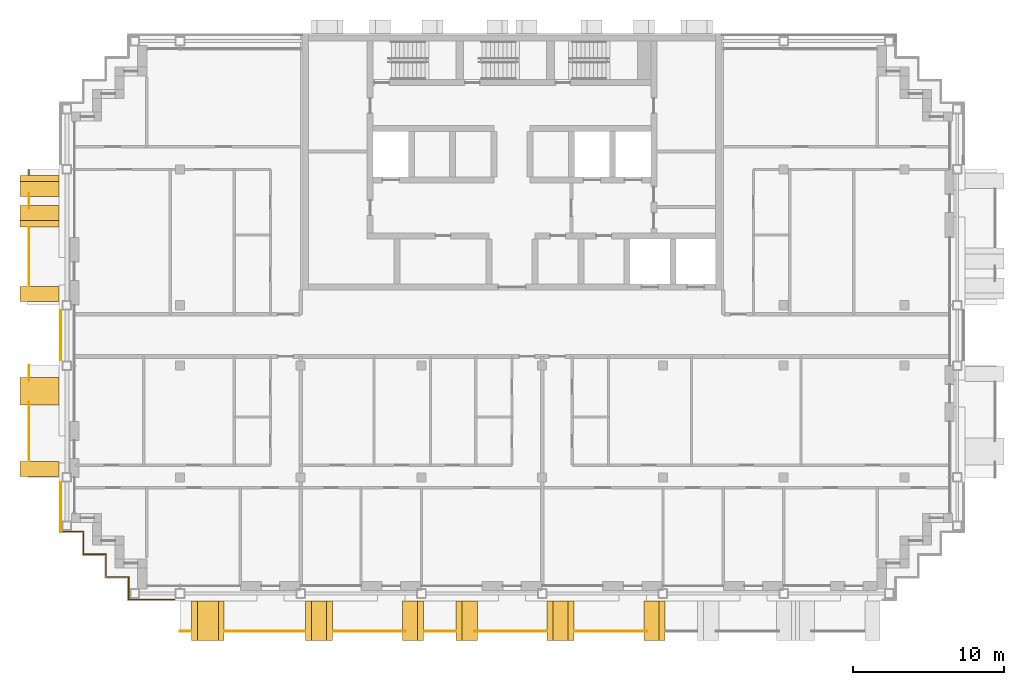
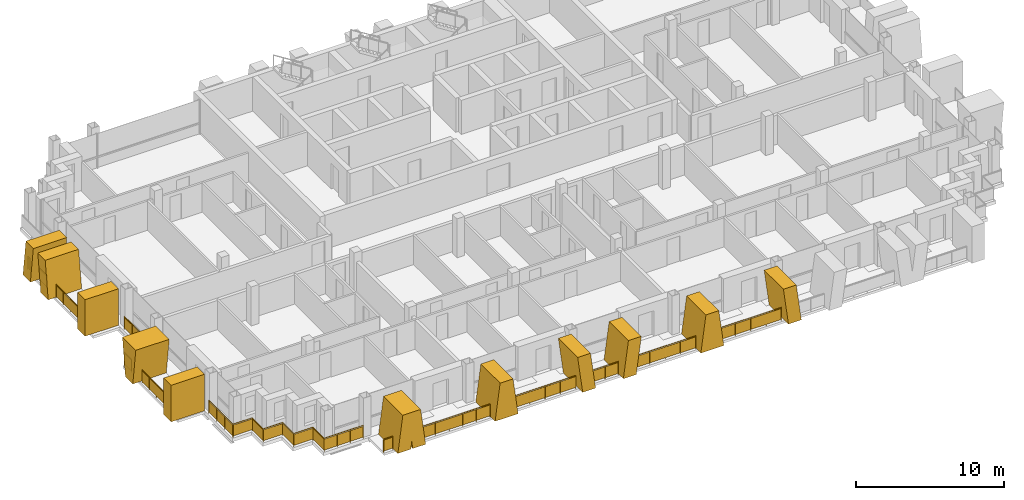
# One storey, part 12 of 15: 14 railings, 11 shading devices.
"""IFC4 building model written with IfcOpenShell, lengths in metres."""

import ifcopenshell
import ifcopenshell.guid

model = None  # the IFC model being written
_history = None  # IfcOwnerHistory: only IFC2X3 demands one
_inside = {}  # id of a spatial element -> (the spatial element, [elements in it])
_under = {}  # id of a project, library or spatial element -> (it, [spatial elements below it])
_declared = {}  # id of a project -> (the project, [libraries it declares])
_typed = {}  # id of a type object -> (the type object, [elements of that type])
_made_of = {}  # id of a material, layer set ... -> (it, [elements and type objects made of it])


def new_model(schema):
    """Start an empty IFC model of exactly this schema.

    Asked for "IFC4X3", IfcOpenShell would pick the latest addendum, in which some entities
    have other attributes; the version numbers below select the first issue.
    IFC2X3 requires an IfcOwnerHistory on every rooted entity: one is made here for all.
    """
    global model, _history
    if schema == "IFC4X3":
        model = ifcopenshell.file(schema_version=(4, 3, 0, 0))
    else:
        model = ifcopenshell.file(schema=schema)
    _inside.clear()
    _under.clear()
    _declared.clear()
    _typed.clear()
    _made_of.clear()
    _history = None
    if model.schema == "IFC2X3":
        org = make("IfcOrganization", Name="unknown")
        user = make(
            "IfcPersonAndOrganization",
            ThePerson=make("IfcPerson", FamilyName="unknown"),
            TheOrganization=org,
        )
        app = make(
            "IfcApplication",
            ApplicationDeveloper=org,
            Version="unknown",
            ApplicationFullName="unknown",
            ApplicationIdentifier="unknown",
        )
        _history = make(
            "IfcOwnerHistory",
            OwningUser=user,
            OwningApplication=app,
            ChangeAction="ADDED",
            CreationDate=0,
        )
    return model


def make(cls, **values):
    """One entity of the class cls with the attributes given. An attribute that is None is left unset."""
    return model.create_entity(
        cls, **{name: value for name, value in values.items() if value is not None}
    )


def rooted(cls, **values):
    """An entity with a GlobalId (a new one), such as an element, a storey or a relation."""
    return make(cls, GlobalId=ifcopenshell.guid.new(), OwnerHistory=_history, **values)


def si_unit(unit_type, name, prefix=None):
    """IfcSIUnit, for example si_unit("LENGTHUNIT", "METRE", prefix="MILLI")."""
    return make("IfcSIUnit", UnitType=unit_type, Prefix=prefix, Name=name)


def assignment(units):
    """IfcUnitAssignment: the units of a project."""
    return None if units is None else make("IfcUnitAssignment", Units=units)


def point(xyz):
    """IfcCartesianPoint."""
    return None if xyz is None else make("IfcCartesianPoint", Coordinates=xyz)


def direction(xyz):
    """IfcDirection."""
    return None if xyz is None else make("IfcDirection", DirectionRatios=xyz)


def frame(location, z_axis=None, x_axis=None):
    """IfcAxis2Placement3D, a coordinate frame: its origin and axes. An axis left out is left unset."""
    return make(
        "IfcAxis2Placement3D",
        Location=point(location),
        Axis=direction(z_axis),
        RefDirection=direction(x_axis),
    )


def frame_2d(location, x_axis=None):
    """IfcAxis2Placement2D, a coordinate frame in the plane: its origin and x axis."""
    return make(
        "IfcAxis2Placement2D", Location=point(location), RefDirection=direction(x_axis)
    )


def origin():
    """The frame at (0, 0, 0) with its axes left unset."""
    return frame((0.0, 0.0, 0.0))


def origin_2d():
    """The frame at (0, 0) in the plane with its x axis left unset."""
    return frame_2d((0.0, 0.0))


def place(relative_to, where):
    """IfcLocalPlacement: puts the frame where relative to a parent placement (None: the world)."""
    return make(
        "IfcLocalPlacement", PlacementRelTo=relative_to, RelativePlacement=where
    )


def context(
    kind, dimensions, precision=None, world=None, true_north=None, identifier=None
):
    """IfcGeometricRepresentationContext, for example the 3D "Model" context."""
    return make(
        "IfcGeometricRepresentationContext",
        ContextIdentifier=identifier,
        ContextType=kind,
        CoordinateSpaceDimension=dimensions,
        Precision=precision,
        WorldCoordinateSystem=world,
        TrueNorth=true_north,
    )


def subcontext(parent, identifier, kind, view, scale=None):
    """IfcGeometricRepresentationSubContext, for example "Body" below "Model"."""
    return make(
        "IfcGeometricRepresentationSubContext",
        ContextIdentifier=identifier,
        ContextType=kind,
        ParentContext=parent,
        TargetScale=scale,
        TargetView=view,
    )


def project(units=None, contexts=None):
    """IfcProject with its units and contexts."""
    return rooted(
        "IfcProject",
        Name="project",
        RepresentationContexts=contexts,
        UnitsInContext=assignment(units),
    )


def spatial(cls, under=None, at=None, **own):
    """A site, building, storey or space (cls), placed at a placement, below another one or the project."""
    s = rooted(cls, ObjectPlacement=at, **own)
    if under is not None:
        _under.setdefault(under.id(), (under, []))[1].append(s)
    return s


def polyline(points):
    """IfcPolyline through the points."""
    return make("IfcPolyline", Points=[point(p) for p in points])


def profile(cls, at=None, kind="AREA", **sizes):
    """A parametric profile (cls). Its sizes go by their IFC names, for example OverallWidth=200.0."""
    return make(cls, ProfileType=kind, Position=at, **sizes)


def rectangle(**sizes):
    """IfcRectangleProfileDef."""
    return profile("IfcRectangleProfileDef", **sizes)


def circle(**sizes):
    """IfcCircleProfileDef."""
    return profile("IfcCircleProfileDef", **sizes)


def outline(outer, holes=None, kind="AREA"):
    """IfcArbitraryClosedProfileDef: a profile drawn as a closed curve; with holes, ...WithVoids."""
    if holes is None:
        return make("IfcArbitraryClosedProfileDef", ProfileType=kind, OuterCurve=outer)
    return make(
        "IfcArbitraryProfileDefWithVoids",
        ProfileType=kind,
        OuterCurve=outer,
        InnerCurves=holes,
    )


def extrude(swept, where, along, depth):
    """IfcExtrudedAreaSolid: the profile swept, set in the frame where, extruded along a direction by depth."""
    return make(
        "IfcExtrudedAreaSolid",
        SweptArea=swept,
        Position=where,
        ExtrudedDirection=direction(along),
        Depth=depth,
    )


def shape(context_of_items, identifier, shape_type, items):
    """IfcShapeRepresentation: the items that make up one representation, for example the "Body"."""
    return make(
        "IfcShapeRepresentation",
        ContextOfItems=context_of_items,
        RepresentationIdentifier=identifier,
        RepresentationType=shape_type,
        Items=items,
    )


def material(Name=None, Category=None):
    """IfcMaterial."""
    return make("IfcMaterial", Name=Name, Category=Category)


def layer(
    of_material, thickness, ventilated=None, Name=None, Category=None, Priority=None
):
    """IfcMaterialLayer: one layer of a wall or slab, of a material (None: an air gap)."""
    return make(
        "IfcMaterialLayer",
        Material=of_material,
        LayerThickness=thickness,
        IsVentilated=ventilated,
        Name=Name,
        Category=Category,
        Priority=Priority,
    )


def layer_set(layers, Name=None):
    """IfcMaterialLayerSet."""
    return make("IfcMaterialLayerSet", MaterialLayers=layers, LayerSetName=Name)


def made_of(thing, what):
    """Note that an element or type object is made of a material, layer set ...; save() writes the relation."""
    if what is not None:
        _made_of.setdefault(what.id(), (what, []))[1].append(thing)
    return thing


def type_object(cls, material=None, **own):
    """A type object (cls), such as IfcWallType, which elements share."""
    return made_of(rooted(cls, **own), material)


def element(
    cls,
    number,
    at=None,
    inside=None,
    cuts=None,
    type_object=None,
    material=None,
    context=None,
    identifier="Body",
    shape_type=None,
    held_by="IfcProductDefinitionShape",
    body=None,
    shapes=None,
    **own,
):
    """One element of the class cls, such as IfcWall. Its Tag is "e" and its number.

    at: its placement. inside: the storey or other place that contains it. cuts: it is an
    opening in that element (IfcRelVoidsElement). A single representation is given by context,
    identifier, shape_type and body (its items); several are given by shapes. held_by: the class
    of the entity that holds the representations. save() writes the other relations.
    """
    e = rooted(cls, Tag="e%d" % number, ObjectPlacement=at, **own)
    if body is not None:
        shapes = [shape(context, identifier, shape_type, body)]
    if shapes is not None:
        e.Representation = make(held_by, Representations=shapes)
    if inside is not None:
        _inside.setdefault(inside.id(), (inside, []))[1].append(e)
    if cuts is not None:
        rooted(
            "IfcRelVoidsElement", RelatingBuildingElement=cuts, RelatedOpeningElement=e
        )
    if type_object is not None:
        _typed.setdefault(type_object.id(), (type_object, []))[1].append(e)
    return made_of(e, material)


def aggregate(whole, parts):
    """IfcRelAggregates: a whole, such as a stair, and the parts it consists of."""
    return rooted("IfcRelAggregates", RelatingObject=whole, RelatedObjects=parts)


def save(model, path):
    """Write the relations noted so far, then the file.

    IfcRelAggregates (storeys below a building ...), IfcRelContainedInSpatialStructure (elements
    in a storey), IfcRelDefinesByType, IfcRelAssociatesMaterial and IfcRelDeclares: one each for
    every whole, place, type object, material and project.
    """
    for whole, parts in _under.values():
        aggregate(whole, parts)
    for where, things in _inside.values():
        rooted(
            "IfcRelContainedInSpatialStructure",
            RelatedElements=things,
            RelatingStructure=where,
        )
    for kind, things in _typed.values():
        rooted("IfcRelDefinesByType", RelatedObjects=things, RelatingType=kind)
    for what, things in _made_of.values():
        rooted("IfcRelAssociatesMaterial", RelatedObjects=things, RelatingMaterial=what)
    for by, libraries in _declared.values():
        rooted("IfcRelDeclares", RelatingContext=by, RelatedDefinitions=libraries)
    model.write(path)


model = new_model("IFC4")

# Units and contexts
model_context = context("Model", 3, precision=1e-05, world=origin(), true_north=direction((0.0, 1.0)))
body_context = subcontext(model_context, "Body", "Model", "MODEL_VIEW")
ifc_project = project(units=[si_unit("LENGTHUNIT", "METRE"), si_unit("AREAUNIT", "SQUARE_METRE"), si_unit("VOLUMEUNIT", "CUBIC_METRE"), si_unit("PLANEANGLEUNIT", "RADIAN"), si_unit("MASSUNIT", "GRAM", prefix="KILO")], contexts=[model_context])

# Site, building, storey
site_placement = place(None, origin())
site = spatial("IfcSite", under=ifc_project, at=site_placement, CompositionType="ELEMENT")
building_placement = place(site_placement, origin())
building = spatial("IfcBuilding", under=site, at=building_placement, Name="Vidyagriha Tower", CompositionType="ELEMENT")
storey_placement = place(building_placement, frame((0.0, 0.0, 236.39990234375)))
storey = spatial("IfcBuildingStorey", under=building, at=storey_placement, Name="L62", CompositionType="ELEMENT", Elevation=236.39990234375)

# Railings
ifc_material_1 = material(Name="Steel ASTM A500 Grade C black painted", Category="steel")
railing_type_1 = type_object("IfcRailingType", Name="Balcony guard 1100", PredefinedType="BALUSTRADE", material=ifc_material_1)
railing_1_placement = place(storey_placement, frame((-32.0, 11.0, 0.0)))
element("IfcRailing", 1, at=railing_1_placement, inside=storey, type_object=railing_type_1, Name="Balcony guard L62 R16.1-1", PredefinedType="BALUSTRADE", context=body_context, shape_type="SweptSolid", body=[
    extrude(circle(Radius=0.02490234375, at=origin_2d()), frame((0.0, 0.0, 1.0751953125), z_axis=(0.0, -1.0, 0.0), x_axis=(1.0, 0.0, 0.0)), (0.0, 0.0, 1.0), 0.35009765625),
    extrude(circle(Radius=0.02001953125, at=origin_2d()), origin(), (0.0, 0.0, 1.0), 1.050048828125),
    extrude(circle(Radius=0.02001953125, at=origin_2d()), frame((0.0, -0.35009765625, 0.0)), (0.0, 0.0, 1.0), 1.050048828125),
    extrude(rectangle(XDim=0.010009765625, YDim=0.900146484375, at=origin_2d()), frame((0.0, 0.0, 0.550048828125), z_axis=(0.0, -1.0, 0.0), x_axis=(1.0, 0.0, 0.0)), (0.0, 0.0, 1.0), 0.35009765625),
])
railing_2_placement = place(storey_placement, frame((-32.0, 9.396728515625, 0.0)))
element("IfcRailing", 2, at=railing_2_placement, inside=storey, type_object=railing_type_1, Name="Balcony guard L62 R16.1-2", PredefinedType="BALUSTRADE", context=body_context, shape_type="SweptSolid", body=[
    extrude(circle(Radius=0.02490234375, at=origin_2d()), frame((0.0, 0.0, 1.0751953125), z_axis=(0.0, -1.0, 0.0), x_axis=(1.0, 0.0, 0.0)), (0.0, 0.0, 1.0), 0.993408203125),
    extrude(circle(Radius=0.02001953125, at=origin_2d()), origin(), (0.0, 0.0, 1.0), 1.050048828125),
    extrude(circle(Radius=0.02001953125, at=origin_2d()), frame((0.0, -0.993408203125, 0.0)), (0.0, 0.0, 1.0), 1.050048828125),
    extrude(rectangle(XDim=0.010009765625, YDim=0.900146484375, at=origin_2d()), frame((0.0, 0.0, 0.550048828125), z_axis=(0.0, -1.0, 0.0), x_axis=(1.0, 0.0, 0.0)), (0.0, 0.0, 1.0), 0.993408203125),
])
railing_3_placement = place(storey_placement, frame((-32.0, 7.14990234375, 0.0)))
element("IfcRailing", 3, at=railing_3_placement, inside=storey, type_object=railing_type_1, Name="Balcony guard L62 R16.1-3", PredefinedType="BALUSTRADE", context=body_context, shape_type="SweptSolid", body=[
    extrude(circle(Radius=0.02490234375, at=origin_2d()), frame((0.0, 0.0, 1.0751953125), z_axis=(0.0, -1.0, 0.0), x_axis=(1.0, 0.0, 0.0)), (0.0, 0.0, 1.0), 3.849853515625),
    extrude(circle(Radius=0.02001953125, at=origin_2d()), origin(), (0.0, 0.0, 1.0), 1.050048828125),
    extrude(circle(Radius=0.02001953125, at=origin_2d()), frame((0.0, -0.96240234375, 0.0)), (0.0, 0.0, 1.0), 1.050048828125),
    extrude(circle(Radius=0.02001953125, at=origin_2d()), frame((0.0, -1.9248046875, 0.0)), (0.0, 0.0, 1.0), 1.050048828125),
    extrude(circle(Radius=0.02001953125, at=origin_2d()), frame((0.0, -2.887451171875, 0.0)), (0.0, 0.0, 1.0), 1.050048828125),
    extrude(circle(Radius=0.02001953125, at=origin_2d()), frame((0.0, -3.849853515625, 0.0)), (0.0, 0.0, 1.0), 1.050048828125),
    extrude(rectangle(XDim=0.010009765625, YDim=0.900146484375, at=origin_2d()), frame((0.0, 0.0, 0.550048828125), z_axis=(0.0, -1.0, 0.0), x_axis=(1.0, 0.0, 0.0)), (0.0, 0.0, 1.0), 3.849853515625),
])
railing_4_placement = place(storey_placement, frame((-32.0, -2.0, 0.0)))
element("IfcRailing", 4, at=railing_4_placement, inside=storey, type_object=railing_type_1, Name="Balcony guard L62 R16.2-1", PredefinedType="BALUSTRADE", context=body_context, shape_type="SweptSolid", body=[
    extrude(circle(Radius=0.02490234375, at=origin_2d()), frame((0.0, 0.0, 1.0751953125), z_axis=(0.0, -1.0, 0.0), x_axis=(1.0, 0.0, 0.0)), (0.0, 0.0, 1.0), 0.99658203125),
    extrude(circle(Radius=0.02001953125, at=origin_2d()), origin(), (0.0, 0.0, 1.0), 1.050048828125),
    extrude(circle(Radius=0.02001953125, at=origin_2d()), frame((0.0, -0.99658203125, 0.0)), (0.0, 0.0, 1.0), 1.050048828125),
    extrude(rectangle(XDim=0.010009765625, YDim=0.900146484375, at=origin_2d()), frame((0.0, 0.0, 0.550048828125), z_axis=(0.0, -1.0, 0.0), x_axis=(1.0, 0.0, 0.0)), (0.0, 0.0, 1.0), 0.99658203125),
])
railing_5_placement = place(storey_placement, frame((-32.0, -4.4033203125, 0.0)))
element("IfcRailing", 5, at=railing_5_placement, inside=storey, type_object=railing_type_1, Name="Balcony guard L62 R16.2-2", PredefinedType="BALUSTRADE", context=body_context, shape_type="SweptSolid", body=[
    extrude(circle(Radius=0.02490234375, at=origin_2d()), frame((0.0, 0.0, 1.0751953125), z_axis=(0.0, -1.0, 0.0), x_axis=(1.0, 0.0, 0.0)), (0.0, 0.0, 1.0), 3.896728515625),
    extrude(circle(Radius=0.02001953125, at=origin_2d()), origin(), (0.0, 0.0, 1.0), 1.050048828125),
    extrude(circle(Radius=0.02001953125, at=origin_2d()), frame((0.0, -0.97412109375, 0.0)), (0.0, 0.0, 1.0), 1.050048828125),
    extrude(circle(Radius=0.02001953125, at=origin_2d()), frame((0.0, -1.9482421875, 0.0)), (0.0, 0.0, 1.0), 1.050048828125),
    extrude(circle(Radius=0.02001953125, at=origin_2d()), frame((0.0, -2.922607421875, 0.0)), (0.0, 0.0, 1.0), 1.050048828125),
    extrude(circle(Radius=0.02001953125, at=origin_2d()), frame((0.0, -3.896728515625, 0.0)), (0.0, 0.0, 1.0), 1.050048828125),
    extrude(rectangle(XDim=0.010009765625, YDim=0.900146484375, at=origin_2d()), frame((0.0, 0.0, 0.550048828125), z_axis=(0.0, -1.0, 0.0), x_axis=(1.0, 0.0, 0.0)), (0.0, 0.0, 1.0), 3.896728515625),
])
railing_6_placement = place(storey_placement, frame((-22.0, -19.60009765625, 0.0)))
element("IfcRailing", 6, at=railing_6_placement, inside=storey, type_object=railing_type_1, Name="Balcony guard L62 R23.1-1", PredefinedType="BALUSTRADE", context=body_context, shape_type="SweptSolid", body=[
    extrude(circle(Radius=0.02490234375, at=origin_2d()), frame((0.0, 0.0, 1.0751953125), z_axis=(1.0, 0.0, 0.0), x_axis=(0.0, 1.0, 0.0)), (0.0, 0.0, 1.0), 0.721435546875),
    extrude(circle(Radius=0.02001953125, at=origin_2d()), origin(), (0.0, 0.0, 1.0), 1.050048828125),
    extrude(circle(Radius=0.02001953125, at=origin_2d()), frame((0.721435546875, 0.0, 0.0)), (0.0, 0.0, 1.0), 1.050048828125),
    extrude(rectangle(XDim=0.010009765625, YDim=0.900146484375, at=origin_2d()), frame((0.0, 0.0, 0.550048828125), z_axis=(1.0, 0.0, 0.0), x_axis=(0.0, 1.0, 0.0)), (0.0, 0.0, 1.0), 0.721435546875),
])
railing_7_placement = place(storey_placement, frame((-19.021484375, -19.60009765625, 0.0)))
element("IfcRailing", 7, at=railing_7_placement, inside=storey, type_object=railing_type_1, Name="Balcony guard L62 R23.1-2", PredefinedType="BALUSTRADE", context=body_context, shape_type="SweptSolid", body=[
    extrude(circle(Radius=0.02490234375, at=origin_2d()), frame((0.0, 0.0, 1.0751953125), z_axis=(1.0, 0.0, 0.0), x_axis=(0.0, 1.0, 0.0)), (0.0, 0.0, 1.0), 5.301513671875),
    extrude(circle(Radius=0.02001953125, at=origin_2d()), origin(), (0.0, 0.0, 1.0), 1.050048828125),
    extrude(circle(Radius=0.02001953125, at=origin_2d()), frame((1.060302734375, 0.0, 0.0)), (0.0, 0.0, 1.0), 1.050048828125),
    extrude(circle(Radius=0.02001953125, at=origin_2d()), frame((2.12060546875, 0.0, 0.0)), (0.0, 0.0, 1.0), 1.050048828125),
    extrude(circle(Radius=0.02001953125, at=origin_2d()), frame((3.180908203125, 0.0, 0.0)), (0.0, 0.0, 1.0), 1.050048828125),
    extrude(circle(Radius=0.02001953125, at=origin_2d()), frame((4.2412109375, 0.0, 0.0)), (0.0, 0.0, 1.0), 1.050048828125),
    extrude(circle(Radius=0.02001953125, at=origin_2d()), frame((5.301513671875, 0.0, 0.0)), (0.0, 0.0, 1.0), 1.050048828125),
    extrude(rectangle(XDim=0.010009765625, YDim=0.900146484375, at=origin_2d()), frame((0.0, 0.0, 0.550048828125), z_axis=(1.0, 0.0, 0.0), x_axis=(0.0, 1.0, 0.0)), (0.0, 0.0, 1.0), 5.301513671875),
])
railing_8_placement = place(storey_placement, frame((-11.830078125, -19.60009765625, 0.0)))
element("IfcRailing", 8, at=railing_8_placement, inside=storey, type_object=railing_type_1, Name="Balcony guard L62 R23.1-3", PredefinedType="BALUSTRADE", context=body_context, shape_type="SweptSolid", body=[
    extrude(circle(Radius=0.02490234375, at=origin_2d()), frame((0.0, 0.0, 1.0751953125), z_axis=(1.0, 0.0, 0.0), x_axis=(0.0, 1.0, 0.0)), (0.0, 0.0, 1.0), 4.773681640625),
    extrude(circle(Radius=0.02001953125, at=origin_2d()), origin(), (0.0, 0.0, 1.0), 1.050048828125),
    extrude(circle(Radius=0.02001953125, at=origin_2d()), frame((1.193359375, 0.0, 0.0)), (0.0, 0.0, 1.0), 1.050048828125),
    extrude(circle(Radius=0.02001953125, at=origin_2d()), frame((2.38671875, 0.0, 0.0)), (0.0, 0.0, 1.0), 1.050048828125),
    extrude(circle(Radius=0.02001953125, at=origin_2d()), frame((3.580322265625, 0.0, 0.0)), (0.0, 0.0, 1.0), 1.050048828125),
    extrude(circle(Radius=0.02001953125, at=origin_2d()), frame((4.773681640625, 0.0, 0.0)), (0.0, 0.0, 1.0), 1.050048828125),
    extrude(rectangle(XDim=0.010009765625, YDim=0.900146484375, at=origin_2d()), frame((0.0, 0.0, 0.550048828125), z_axis=(1.0, 0.0, 0.0), x_axis=(0.0, 1.0, 0.0)), (0.0, 0.0, 1.0), 4.773681640625),
])
railing_9_placement = place(storey_placement, frame((-5.804931640625, -19.60009765625, 0.0)))
element("IfcRailing", 9, at=railing_9_placement, inside=storey, type_object=railing_type_1, Name="Balcony guard L62 R23.1-4", PredefinedType="BALUSTRADE", context=body_context, shape_type="SweptSolid", body=[
    extrude(circle(Radius=0.02490234375, at=origin_2d()), frame((0.0, 0.0, 1.0751953125), z_axis=(1.0, 0.0, 0.0), x_axis=(0.0, 1.0, 0.0)), (0.0, 0.0, 1.0), 2.059814453125),
    extrude(circle(Radius=0.02001953125, at=origin_2d()), origin(), (0.0, 0.0, 1.0), 1.050048828125),
    extrude(circle(Radius=0.02001953125, at=origin_2d()), frame((1.02978515625, 0.0, 0.0)), (0.0, 0.0, 1.0), 1.050048828125),
    extrude(circle(Radius=0.02001953125, at=origin_2d()), frame((2.059814453125, 0.0, 0.0)), (0.0, 0.0, 1.0), 1.050048828125),
    extrude(rectangle(XDim=0.010009765625, YDim=0.900146484375, at=origin_2d()), frame((0.0, 0.0, 0.550048828125), z_axis=(1.0, 0.0, 0.0), x_axis=(0.0, 1.0, 0.0)), (0.0, 0.0, 1.0), 2.059814453125),
])
for number, where, name in (
    (10, (-2.49365234375, -19.60009765625, 0.0), "Balcony guard L62 R23.1-5"),
    (11, (4.169921875, -19.60009765625, 0.0), "Balcony guard L62 R23.1-6"),
):
    element("IfcRailing", number, at=place(storey_placement, frame(where)), inside=storey, type_object=railing_type_1, Name=name, PredefinedType="BALUSTRADE", context=body_context, shape_type="SweptSolid", body=[
        extrude(circle(Radius=0.02490234375, at=origin_2d()), frame((0.0, 0.0, 1.0751953125), z_axis=(1.0, 0.0, 0.0), x_axis=(0.0, 1.0, 0.0)), (0.0, 0.0, 1.0), 4.773681640625),
        extrude(circle(Radius=0.02001953125, at=origin_2d()), origin(), (0.0, 0.0, 1.0), 1.050048828125),
        extrude(circle(Radius=0.02001953125, at=origin_2d()), frame((1.193359375, 0.0, 0.0)), (0.0, 0.0, 1.0), 1.050048828125),
        extrude(circle(Radius=0.02001953125, at=origin_2d()), frame((2.38671875, 0.0, 0.0)), (0.0, 0.0, 1.0), 1.050048828125),
        extrude(circle(Radius=0.02001953125, at=origin_2d()), frame((3.580322265625, 0.0, 0.0)), (0.0, 0.0, 1.0), 1.050048828125),
        extrude(circle(Radius=0.02001953125, at=origin_2d()), frame((4.773681640625, 0.0, 0.0)), (0.0, 0.0, 1.0), 1.050048828125),
        extrude(rectangle(XDim=0.010009765625, YDim=0.900146484375, at=origin_2d()), frame((0.0, 0.0, 0.550048828125), z_axis=(1.0, 0.0, 0.0), x_axis=(0.0, 1.0, 0.0)), (0.0, 0.0, 1.0), 4.773681640625),
    ])

# Shading devices
ifc_material_2 = material(Name="Precast concrete C40/50 with buff brick facing", Category="concrete")
ifc_layer_1 = layer(ifc_material_2, 1.0)
ifc_layer_set_1 = layer_set([ifc_layer_1], Name="Precast concrete C40/50 with buff brick facing")
shading_device_type_1 = type_object("IfcShadingDeviceType", Name="Brick-faced blade fin arm leaning 8 degrees", PredefinedType="USERDEFINED", material=ifc_layer_set_1)
shading_device_1_placement = place(storey_placement, frame((-31.300048828125, 8.60009765625, 0.0), z_axis=(0.0, 0.0, 1.0), x_axis=(0.0, -1.0, 0.0)))
element("IfcShadingDevice", 12, at=shading_device_1_placement, inside=storey, type_object=shading_device_type_1, Name="Leaning blade fin L62 R16.320a", ObjectType="BLADE FIN", PredefinedType="USERDEFINED", context=body_context, shape_type="SweptSolid", body=[
    extrude(outline(polyline([(0.39990234375, 0.0), (1.39990234375, 0.0), (1.0, 3.0), (0.0, 3.0), (0.39990234375, 0.0)])), frame((0.0, 1.300048828125, 0.0), z_axis=(0.0, -1.0, 0.0), x_axis=(1.0, 0.0, 0.0)), (0.0, 0.0, 1.0), 2.60009765625),
])
shading_device_2_placement = place(storey_placement, frame((-31.300048828125, 10.60009765625, 0.0), z_axis=(0.0, 0.0, 1.0), x_axis=(0.0, -1.0, 0.0)))
element("IfcShadingDevice", 13, at=shading_device_2_placement, inside=storey, type_object=shading_device_type_1, Name="Leaning blade fin L62 R16.320b", ObjectType="BLADE FIN", PredefinedType="USERDEFINED", context=body_context, shape_type="SweptSolid", body=[
    extrude(outline(polyline([(0.0, 0.0), (1.0, 0.0), (1.39990234375, 3.0), (0.39990234375, 3.0), (0.0, 0.0)])), frame((0.0, 1.300048828125, 0.0), z_axis=(0.0, -1.0, 0.0), x_axis=(1.0, 0.0, 0.0)), (0.0, 0.0, 1.0), 2.60009765625),
])
shading_device_3_placement = place(storey_placement, frame((-3.695068359375, -18.89990234375, 0.0)))
element("IfcShadingDevice", 14, at=shading_device_3_placement, inside=storey, type_object=shading_device_type_1, Name="Leaning blade fin L62 R23.1820a", ObjectType="BLADE FIN", PredefinedType="USERDEFINED", context=body_context, shape_type="SweptSolid", body=[
    extrude(outline(polyline([(0.0, 0.0), (1.0, 0.0), (1.39501953125, 3.0), (0.39501953125, 3.0), (0.0, 0.0)])), frame((0.0, 1.300048828125, 0.0), z_axis=(0.0, -1.0, 0.0), x_axis=(1.0, 0.0, 0.0)), (0.0, 0.0, 1.0), 2.60009765625),
])
for number, where, name in (
    (15, (-7.25, -18.89990234375, 0.0), "Leaning blade fin L62 R23.1820b"),
    (16, (8.75, -18.89990234375, 0.0), "Leaning blade fin L62 R23.3420b"),
):
    element("IfcShadingDevice", number, at=place(storey_placement, frame(where)), inside=storey, type_object=shading_device_type_1, Name=name, ObjectType="BLADE FIN", PredefinedType="USERDEFINED", context=body_context, shape_type="SweptSolid", body=[
        extrude(outline(polyline([(0.39501953125, 0.0), (1.39501953125, 0.0), (1.0, 3.0), (0.0, 3.0), (0.39501953125, 0.0)])), frame((0.0, 1.300048828125, 0.0), z_axis=(0.0, -1.0, 0.0), x_axis=(1.0, 0.0, 0.0)), (0.0, 0.0, 1.0), 2.60009765625),
    ])
ifc_material_3 = material(Name="Precast concrete C40/50 with buff brick facing", Category="concrete")
ifc_layer_2 = layer(ifc_material_3, 1.0)
ifc_layer_set_2 = layer_set([ifc_layer_2], Name="Precast concrete C40/50 with buff brick facing")
shading_device_type_2 = type_object("IfcShadingDeviceType", Name="Brick-faced blade fin forking 8 degrees", PredefinedType="USERDEFINED", material=ifc_layer_set_2)
shading_device_4_placement = place(storey_placement, frame((-31.300048828125, -2.800048828125, 0.0), z_axis=(0.0, 0.0, 1.0), x_axis=(0.0, -1.0, 0.0)))
element("IfcShadingDevice", 17, at=shading_device_4_placement, inside=storey, type_object=shading_device_type_2, Name="Forked blade fin L62 R16.1620a", ObjectType="BLADE FIN", PredefinedType="USERDEFINED", context=body_context, shape_type="SweptSolid", body=[
    extrude(outline(polyline([(0.39990234375, 0.0), (1.39990234375, 0.0), (1.800048828125, 3.0), (0.0, 3.0), (0.39990234375, 0.0)])), frame((0.0, 1.300048828125, 0.0), z_axis=(0.0, -1.0, 0.0), x_axis=(1.0, 0.0, 0.0)), (0.0, 0.0, 1.0), 2.60009765625),
])
shading_device_5_placement = place(storey_placement, frame((-21.228515625, -18.89990234375, 0.0)))
element("IfcShadingDevice", 18, at=shading_device_5_placement, inside=storey, type_object=shading_device_type_2, Name="Forked blade fin L62 R23.220a", ObjectType="BLADE FIN", PredefinedType="USERDEFINED", context=body_context, shape_type="SweptSolid", body=[
    extrude(outline(polyline([(1.0, 0.0), (1.07861328125, 0.611083984375), (1.1572265625, 0.0), (2.1572265625, 0.0), (1.771484375, 3.0), (0.3857421875, 3.0), (0.0, 0.0), (1.0, 0.0)])), frame((0.0, 1.300048828125, 0.0), z_axis=(0.0, -1.0, 0.0), x_axis=(1.0, 0.0, 0.0)), (0.0, 0.0, 1.0), 2.60009765625),
])
for number, where, name in (
    (19, (-13.669921875, -18.89990234375, 0.0), "Forked blade fin L62 R23.1020a"),
    (20, (2.330078125, -18.89990234375, 0.0), "Forked blade fin L62 R23.2620a"),
):
    element("IfcShadingDevice", number, at=place(storey_placement, frame(where)), inside=storey, type_object=shading_device_type_2, Name=name, ObjectType="BLADE FIN", PredefinedType="USERDEFINED", context=body_context, shape_type="SweptSolid", body=[
        extrude(outline(polyline([(0.0, 0.0), (1.7900390625, 0.0), (1.39501953125, 3.0), (0.39501953125, 3.0), (0.0, 0.0)])), frame((0.0, 1.300048828125, 0.0), z_axis=(0.0, -1.0, 0.0), x_axis=(1.0, 0.0, 0.0)), (0.0, 0.0, 1.0), 2.60009765625),
    ])
ifc_material_4 = material(Name="Precast concrete C40/50 with buff brick facing", Category="concrete")
ifc_layer_3 = layer(ifc_material_4, 1.0)
ifc_layer_set_3 = layer_set([ifc_layer_3], Name="Precast concrete C40/50 with buff brick facing")
shading_device_type_3 = type_object("IfcShadingDeviceType", Name="Brick-faced blade fin stem 1000", PredefinedType="USERDEFINED", material=ifc_layer_set_3)
for number, where, z_axis, x_axis, name in (
    (21, (-31.300048828125, 3.25, 0.0), (0.0, 0.0, 1.0), (0.0, -1.0, 0.0), "Stem blade fin L62 R16.1220a"),
    (22, (-31.300048828125, -8.35009765625, 0.0), (0.0, 0.0, 1.0), (0.0, -1.0, 0.0), "Stem blade fin L62 R16.2360a"),
):
    element("IfcShadingDevice", number, at=place(storey_placement, frame(where, z_axis=z_axis, x_axis=x_axis)), inside=storey, type_object=shading_device_type_3, Name=name, ObjectType="BLADE FIN", PredefinedType="USERDEFINED", context=body_context, shape_type="SweptSolid", body=[
        extrude(outline(polyline([(0.0, 0.0), (1.0, 0.0), (1.0, 3.0), (0.0, 3.0), (0.0, 0.0)])), frame((0.0, 1.300048828125, 0.0), z_axis=(0.0, -1.0, 0.0), x_axis=(1.0, 0.0, 0.0)), (0.0, 0.0, 1.0), 2.60009765625),
    ])

# Railings
ifc_material_5 = material(Name="Steel ASTM A500 Grade C black painted", Category="steel")
railing_type_2 = type_object("IfcRailingType", Name="Gallery guard 1100", PredefinedType="GUARDRAIL", material=ifc_material_5)
railing_10_placement = place(storey_placement, frame((-22.360107421875, -17.5, 0.0)))
element("IfcRailing", 23, at=railing_10_placement, inside=storey, type_object=railing_type_2, Name="Gallery guard L62 1", PredefinedType="GUARDRAIL", context=body_context, shape_type="SweptSolid", body=[
    extrude(circle(Radius=0.02490234375, at=origin_2d()), frame((0.0, 0.0, 1.0751953125), z_axis=(-1.0, 0.0, 0.0), x_axis=(0.0, -1.0, 0.0)), (0.0, 0.0, 1.0), 3.039794921875),
    extrude(circle(Radius=0.02490234375, at=origin_2d()), frame((-3.039794921875, 0.0, 1.0751953125), z_axis=(0.0, 1.0, 0.0), x_axis=(-1.0, 0.0, 0.0)), (0.0, 0.0, 1.0), 1.5),
    extrude(circle(Radius=0.02490234375, at=origin_2d()), frame((-3.039794921875, 1.5, 1.0751953125), z_axis=(-1.0, 0.0, 0.0), x_axis=(0.0, -1.0, 0.0)), (0.0, 0.0, 1.0), 1.5),
    extrude(circle(Radius=0.02490234375, at=origin_2d()), frame((-4.539794921875, 1.5, 1.0751953125), z_axis=(0.0, 1.0, 0.0), x_axis=(-1.0, 0.0, 0.0)), (0.0, 0.0, 1.0), 1.5),
    extrude(circle(Radius=0.02490234375, at=origin_2d()), frame((-4.539794921875, 3.0, 1.0751953125), z_axis=(-1.0, 0.0, 0.0), x_axis=(0.0, -1.0, 0.0)), (0.0, 0.0, 1.0), 1.5),
    extrude(circle(Radius=0.02490234375, at=origin_2d()), frame((-6.039794921875, 3.0, 1.0751953125), z_axis=(0.0, 1.0, 0.0), x_axis=(-1.0, 0.0, 0.0)), (0.0, 0.0, 1.0), 1.5),
    extrude(circle(Radius=0.02490234375, at=origin_2d()), frame((-6.039794921875, 4.5, 1.0751953125), z_axis=(-1.0, 0.0, 0.0), x_axis=(0.0, -1.0, 0.0)), (0.0, 0.0, 1.0), 1.460205078125),
    extrude(circle(Radius=0.02001953125, at=origin_2d()), origin(), (0.0, 0.0, 1.0), 1.050048828125),
    extrude(circle(Radius=0.02001953125, at=origin_2d()), frame((-1.01318359375, 0.0, 0.0)), (0.0, 0.0, 1.0), 1.050048828125),
    extrude(circle(Radius=0.02001953125, at=origin_2d()), frame((-2.026611328125, 0.0, 0.0)), (0.0, 0.0, 1.0), 1.050048828125),
    extrude(circle(Radius=0.02001953125, at=origin_2d()), frame((-3.039794921875, 0.0, 0.0)), (0.0, 0.0, 1.0), 1.050048828125),
    extrude(circle(Radius=0.02001953125, at=origin_2d()), frame((-3.039794921875, 1.5, 0.0)), (0.0, 0.0, 1.0), 1.050048828125),
    extrude(circle(Radius=0.02001953125, at=origin_2d()), frame((-4.539794921875, 1.5, 0.0)), (0.0, 0.0, 1.0), 1.050048828125),
    extrude(circle(Radius=0.02001953125, at=origin_2d()), frame((-4.539794921875, 3.0, 0.0)), (0.0, 0.0, 1.0), 1.050048828125),
    extrude(circle(Radius=0.02001953125, at=origin_2d()), frame((-6.039794921875, 3.0, 0.0)), (0.0, 0.0, 1.0), 1.050048828125),
    extrude(circle(Radius=0.02001953125, at=origin_2d()), frame((-6.039794921875, 4.5, 0.0)), (0.0, 0.0, 1.0), 1.050048828125),
    extrude(circle(Radius=0.02001953125, at=origin_2d()), frame((-7.5, 4.5, 0.0)), (0.0, 0.0, 1.0), 1.050048828125),
    extrude(rectangle(XDim=0.010009765625, YDim=0.900146484375, at=origin_2d()), frame((0.0, 0.0, 0.550048828125), z_axis=(-1.0, 0.0, 0.0), x_axis=(0.0, -1.0, 0.0)), (0.0, 0.0, 1.0), 3.039794921875),
    extrude(rectangle(XDim=0.010009765625, YDim=0.900146484375, at=origin_2d()), frame((-3.039794921875, 0.0, 0.550048828125), z_axis=(0.0, 1.0, 0.0), x_axis=(-1.0, 0.0, 0.0)), (0.0, 0.0, 1.0), 1.5),
    extrude(rectangle(XDim=0.010009765625, YDim=0.900146484375, at=origin_2d()), frame((-3.039794921875, 1.5, 0.550048828125), z_axis=(-1.0, 0.0, 0.0), x_axis=(0.0, -1.0, 0.0)), (0.0, 0.0, 1.0), 1.5),
    extrude(rectangle(XDim=0.010009765625, YDim=0.900146484375, at=origin_2d()), frame((-4.539794921875, 1.5, 0.550048828125), z_axis=(0.0, 1.0, 0.0), x_axis=(-1.0, 0.0, 0.0)), (0.0, 0.0, 1.0), 1.5),
    extrude(rectangle(XDim=0.010009765625, YDim=0.900146484375, at=origin_2d()), frame((-4.539794921875, 3.0, 0.550048828125), z_axis=(-1.0, 0.0, 0.0), x_axis=(0.0, -1.0, 0.0)), (0.0, 0.0, 1.0), 1.5),
    extrude(rectangle(XDim=0.010009765625, YDim=0.900146484375, at=origin_2d()), frame((-6.039794921875, 3.0, 0.550048828125), z_axis=(0.0, 1.0, 0.0), x_axis=(-1.0, 0.0, 0.0)), (0.0, 0.0, 1.0), 1.5),
    extrude(rectangle(XDim=0.010009765625, YDim=0.900146484375, at=origin_2d()), frame((-6.039794921875, 4.5, 0.550048828125), z_axis=(-1.0, 0.0, 0.0), x_axis=(0.0, -1.0, 0.0)), (0.0, 0.0, 1.0), 1.460205078125),
])
railing_11_placement = place(storey_placement, frame((-29.860107421875, -13.0, 0.0)))
element("IfcRailing", 24, at=railing_11_placement, inside=storey, type_object=railing_type_2, Name="Gallery guard L62 2", PredefinedType="GUARDRAIL", context=body_context, shape_type="SweptSolid", body=[
    extrude(circle(Radius=0.02490234375, at=origin_2d()), frame((0.0, 0.0, 1.0751953125), z_axis=(-1.0, 0.0, 0.0), x_axis=(0.0, -1.0, 0.0)), (0.0, 0.0, 1.0), 0.039794921875),
    extrude(circle(Radius=0.02490234375, at=origin_2d()), frame((-0.039794921875, 0.0, 1.0751953125), z_axis=(0.0, 1.0, 0.0), x_axis=(-1.0, 0.0, 0.0)), (0.0, 0.0, 1.0), 3.239990234375),
    extrude(circle(Radius=0.02001953125, at=origin_2d()), origin(), (0.0, 0.0, 1.0), 1.050048828125),
    extrude(circle(Radius=0.02001953125, at=origin_2d()), frame((-0.039794921875, 0.0, 0.0)), (0.0, 0.0, 1.0), 1.050048828125),
    extrude(circle(Radius=0.02001953125, at=origin_2d()), frame((-0.039794921875, 1.080078125, 0.0)), (0.0, 0.0, 1.0), 1.050048828125),
    extrude(circle(Radius=0.02001953125, at=origin_2d()), frame((-0.039794921875, 2.159912109375, 0.0)), (0.0, 0.0, 1.0), 1.050048828125),
    extrude(circle(Radius=0.02001953125, at=origin_2d()), frame((-0.039794921875, 3.239990234375, 0.0)), (0.0, 0.0, 1.0), 1.050048828125),
    extrude(rectangle(XDim=0.010009765625, YDim=0.900146484375, at=origin_2d()), frame((0.0, 0.0, 0.550048828125), z_axis=(-1.0, 0.0, 0.0), x_axis=(0.0, -1.0, 0.0)), (0.0, 0.0, 1.0), 0.039794921875),
    extrude(rectangle(XDim=0.010009765625, YDim=0.900146484375, at=origin_2d()), frame((-0.039794921875, 0.0, 0.550048828125), z_axis=(0.0, 1.0, 0.0), x_axis=(-1.0, 0.0, 0.0)), (0.0, 0.0, 1.0), 3.239990234375),
])
railing_12_placement = place(storey_placement, frame((-29.89990234375, -1.639892578125, 0.0)))
element("IfcRailing", 25, at=railing_12_placement, inside=storey, type_object=railing_type_2, Name="Gallery guard L62 3", PredefinedType="GUARDRAIL", context=body_context, shape_type="SweptSolid", body=[
    extrude(circle(Radius=0.02490234375, at=origin_2d()), frame((0.0, 0.0, 1.0751953125), z_axis=(0.0, 1.0, 0.0), x_axis=(-1.0, 0.0, 0.0)), (0.0, 0.0, 1.0), 3.27978515625),
    extrude(circle(Radius=0.02001953125, at=origin_2d()), origin(), (0.0, 0.0, 1.0), 1.050048828125),
    extrude(circle(Radius=0.02001953125, at=origin_2d()), frame((0.0, 1.09326171875, 0.0)), (0.0, 0.0, 1.0), 1.050048828125),
    extrude(circle(Radius=0.02001953125, at=origin_2d()), frame((0.0, 2.1865234375, 0.0)), (0.0, 0.0, 1.0), 1.050048828125),
    extrude(circle(Radius=0.02001953125, at=origin_2d()), frame((0.0, 3.27978515625, 0.0)), (0.0, 0.0, 1.0), 1.050048828125),
    extrude(rectangle(XDim=0.010009765625, YDim=0.900146484375, at=origin_2d()), frame((0.0, 0.0, 0.550048828125), z_axis=(0.0, 1.0, 0.0), x_axis=(-1.0, 0.0, 0.0)), (0.0, 0.0, 1.0), 3.27978515625),
])

save(model, "model.ifc")
